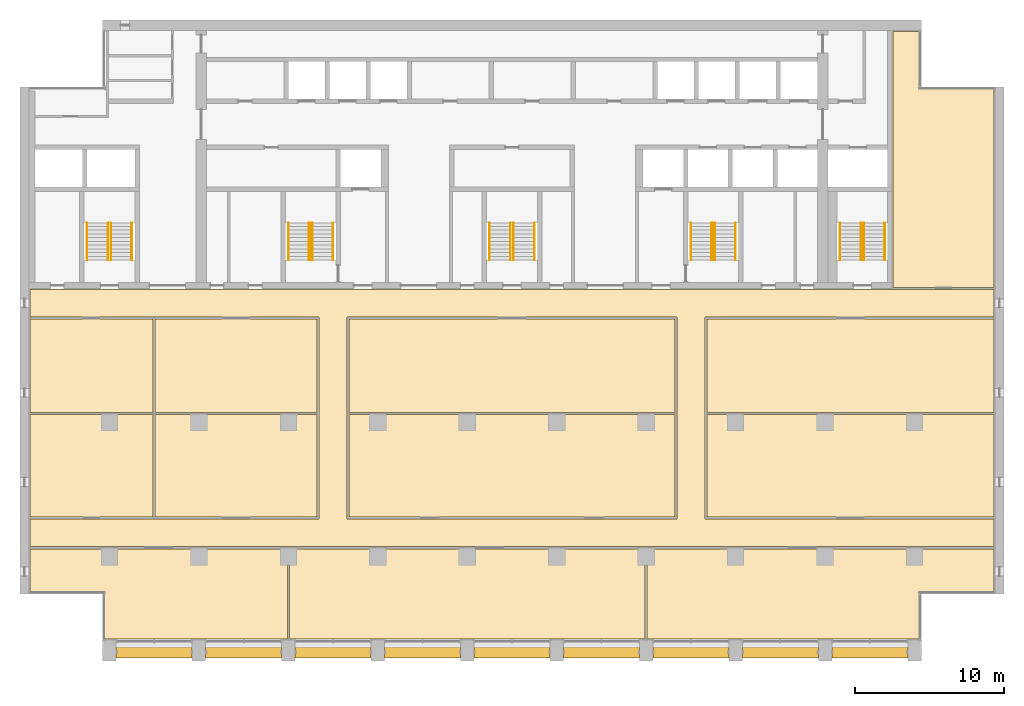
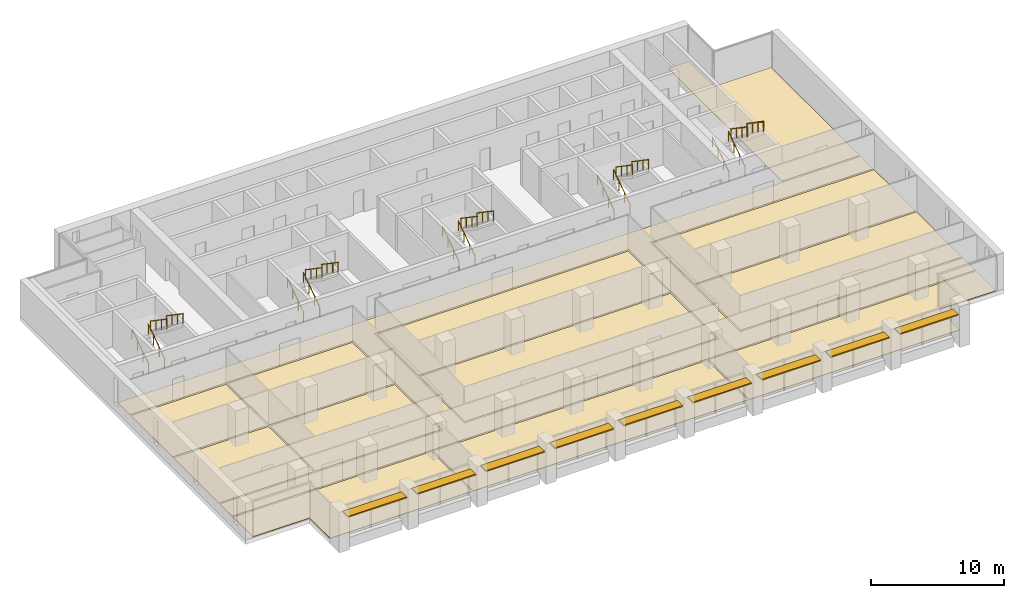
# One storey, part 16 of 16: 20 railings, 13 coverings, 9 shading devices, 5 elements without a shape of their own.
"""IFC4 building model written with IfcOpenShell, lengths in metres."""

from ifc_helpers import new_model, si_unit, direction, frame, origin, origin_2d, place, context, subcontext, project, spatial, polyline, rectangle, circle, outline, extrude, material, layer, layer_set, material_profile, profile_set, type_object, element, aggregate, save


model = new_model("IFC4")

# Units and contexts
model_context = context("Model", 3, precision=1e-05, world=origin(), true_north=direction((0.0, 1.0)))
body_context = subcontext(model_context, "Body", "Model", "MODEL_VIEW")
ifc_project = project(units=[si_unit("LENGTHUNIT", "METRE"), si_unit("AREAUNIT", "SQUARE_METRE"), si_unit("VOLUMEUNIT", "CUBIC_METRE"), si_unit("PLANEANGLEUNIT", "RADIAN"), si_unit("MASSUNIT", "GRAM", prefix="KILO")], contexts=[model_context])

# Site, building, storey
site_placement = place(None, origin())
site = spatial("IfcSite", under=ifc_project, at=site_placement, CompositionType="ELEMENT")
building_placement = place(site_placement, origin())
building = spatial("IfcBuilding", under=site, at=building_placement, Name="Calvaro Tower", CompositionType="ELEMENT")
storey_placement = place(building_placement, frame((0.0, 0.0, 178.0)))
storey = spatial("IfcBuildingStorey", under=building, at=storey_placement, Name="L44", CompositionType="ELEMENT", Elevation=178.0)

# Shading devices
ifc_material_1 = material(Name="Anodised aluminium", Category="aluminium")
ifc_material_profile = material_profile(ifc_material_1, rectangle(XDim=0.800048828125, YDim=0.10009765625, at=origin_2d()), Name="Brise-soleil blade 800 x 100")
ifc_profile_set = profile_set([ifc_material_profile], Name="Anodised aluminium")
shading_device_type = type_object("IfcShadingDeviceType", Name="Brise-soleil blade 800 x 100", PredefinedType="JALOUSIE", material=ifc_profile_set)
for number, where, z_axis, x_axis, name in (
    (1, (12.449951171875, 3.60009765625, 2.5), (1.0, 0.0, 0.0), (0.0, 1.0, 0.0), "Brise-soleil blade 1"),
    (2, (18.449951171875, 3.60009765625, 2.5), (1.0, 0.0, 0.0), (0.0, 1.0, 0.0), "Brise-soleil blade 2"),
    (3, (24.449951171875, 3.60009765625, 2.5), (1.0, 0.0, 0.0), (0.0, 1.0, 0.0), "Brise-soleil blade 3"),
    (4, (30.449951171875, 3.60009765625, 2.5), (1.0, 0.0, 0.0), (0.0, 1.0, 0.0), "Brise-soleil blade 4"),
    (5, (36.449951171875, 3.60009765625, 2.5), (1.0, 0.0, 0.0), (0.0, 1.0, 0.0), "Brise-soleil blade 5"),
    (6, (42.449951171875, 3.60009765625, 2.5), (1.0, 0.0, 0.0), (0.0, 1.0, 0.0), "Brise-soleil blade 6"),
    (7, (48.449951171875, 3.60009765625, 2.5), (1.0, 0.0, 0.0), (0.0, 1.0, 0.0), "Brise-soleil blade 7"),
    (8, (54.449951171875, 3.60009765625, 2.5), (1.0, 0.0, 0.0), (0.0, 1.0, 0.0), "Brise-soleil blade 8"),
    (9, (60.449951171875, 3.60009765625, 2.5), (1.0, 0.0, 0.0), (0.0, 1.0, 0.0), "Brise-soleil blade 9"),
):
    element("IfcShadingDevice", number, at=place(storey_placement, frame(where, z_axis=z_axis, x_axis=x_axis)), inside=storey, type_object=shading_device_type, Name=name, PredefinedType="JALOUSIE", context=body_context, shape_type="SweptSolid", body=[
        extrude(rectangle(XDim=0.800048828125, YDim=0.10009765625, at=origin_2d()), origin(), (0.0, 0.0, 1.0), 5.10009765625),
    ])

# Coverings
ifc_material_2 = material(Name="Cement screed with carpet tile finish")
ifc_layer = layer(ifc_material_2, 0.050048828125)
ifc_layer_set = layer_set([ifc_layer], Name="Cement screed with carpet tile finish")
covering_type = type_object("IfcCoveringType", Name="Floor finish 50", PredefinedType="FLOORING", material=ifc_layer_set)
covering_1_placement = place(storey_placement, origin())
element("IfcCovering", 10, at=covering_1_placement, inside=storey, type_object=covering_type, Name="Floor finish 26.01", PredefinedType="FLOORING", context=body_context, shape_type="SweptSolid", body=[
    extrude(outline(polyline([(6.669921875, 10.669921875), (6.669921875, 12.530029296875), (26.070068359375, 12.530029296875), (26.070068359375, 26.070068359375), (6.669921875, 26.070068359375), (6.669921875, 27.929931640625), (71.330078125, 27.929931640625), (71.330078125, 26.070068359375), (51.929931640625, 26.070068359375), (51.929931640625, 12.530029296875), (71.330078125, 12.530029296875), (71.330078125, 10.669921875), (6.669921875, 10.669921875)]), holes=[polyline([(50.070068359375, 12.530029296875), (50.070068359375, 26.070068359375), (27.929931640625, 26.070068359375), (27.929931640625, 12.530029296875), (50.070068359375, 12.530029296875)])]), origin(), (0.0, 0.0, 1.0), 0.050048828125),
])
covering_2_placement = place(storey_placement, origin())
element("IfcCovering", 11, at=covering_2_placement, inside=storey, type_object=covering_type, Name="Floor finish 26.04", PredefinedType="FLOORING", context=body_context, shape_type="SweptSolid", body=[
    extrude(outline(polyline([(23.929931640625, 10.530029296875), (23.929931640625, 4.469970703125), (11.6201171875, 4.469970703125), (11.6201171875, 7.570068359375), (6.669921875, 7.570068359375), (6.669921875, 10.530029296875), (23.929931640625, 10.530029296875)])), origin(), (0.0, 0.0, 1.0), 0.050048828125),
])
covering_3_placement = place(storey_placement, origin())
element("IfcCovering", 12, at=covering_3_placement, inside=storey, type_object=covering_type, Name="Floor finish 26.02", PredefinedType="FLOORING", context=body_context, shape_type="SweptSolid", body=[
    extrude(outline(polyline([(24.070068359375, 10.530029296875), (47.929931640625, 10.530029296875), (47.929931640625, 4.469970703125), (24.070068359375, 4.469970703125), (24.070068359375, 10.530029296875)])), origin(), (0.0, 0.0, 1.0), 0.050048828125),
])
covering_4_placement = place(storey_placement, origin())
element("IfcCovering", 13, at=covering_4_placement, inside=storey, type_object=covering_type, Name="Floor finish 26.03", PredefinedType="FLOORING", context=body_context, shape_type="SweptSolid", body=[
    extrude(outline(polyline([(71.330078125, 7.570068359375), (66.3798828125, 7.570068359375), (66.3798828125, 4.469970703125), (48.070068359375, 4.469970703125), (48.070068359375, 10.530029296875), (71.330078125, 10.530029296875), (71.330078125, 7.570068359375)])), origin(), (0.0, 0.0, 1.0), 0.050048828125),
])
covering_5_placement = place(storey_placement, origin())
element("IfcCovering", 14, at=covering_5_placement, inside=storey, type_object=covering_type, Name="Floor finish 26.05", PredefinedType="FLOORING", context=body_context, shape_type="SweptSolid", body=[
    extrude(outline(polyline([(14.929931640625, 19.530029296875), (14.929931640625, 12.669921875), (6.669921875, 12.669921875), (6.669921875, 19.530029296875), (14.929931640625, 19.530029296875)])), origin(), (0.0, 0.0, 1.0), 0.050048828125),
])
covering_6_placement = place(storey_placement, origin())
element("IfcCovering", 15, at=covering_6_placement, inside=storey, type_object=covering_type, Name="Floor finish 26.06", PredefinedType="FLOORING", context=body_context, shape_type="SweptSolid", body=[
    extrude(outline(polyline([(15.070068359375, 12.669921875), (15.070068359375, 19.530029296875), (25.929931640625, 19.530029296875), (25.929931640625, 12.669921875), (15.070068359375, 12.669921875)])), origin(), (0.0, 0.0, 1.0), 0.050048828125),
])
covering_7_placement = place(storey_placement, origin())
element("IfcCovering", 16, at=covering_7_placement, inside=storey, type_object=covering_type, Name="Floor finish 26.09", PredefinedType="FLOORING", context=body_context, shape_type="SweptSolid", body=[
    extrude(outline(polyline([(14.929931640625, 25.929931640625), (14.929931640625, 19.669921875), (6.669921875, 19.669921875), (6.669921875, 25.929931640625), (14.929931640625, 25.929931640625)])), origin(), (0.0, 0.0, 1.0), 0.050048828125),
])
covering_8_placement = place(storey_placement, origin())
element("IfcCovering", 17, at=covering_8_placement, inside=storey, type_object=covering_type, Name="Floor finish 26.10", PredefinedType="FLOORING", context=body_context, shape_type="SweptSolid", body=[
    extrude(outline(polyline([(15.070068359375, 19.669921875), (15.070068359375, 25.929931640625), (25.929931640625, 25.929931640625), (25.929931640625, 19.669921875), (15.070068359375, 19.669921875)])), origin(), (0.0, 0.0, 1.0), 0.050048828125),
])
covering_9_placement = place(storey_placement, origin())
element("IfcCovering", 18, at=covering_9_placement, inside=storey, type_object=covering_type, Name="Floor finish 26.07", PredefinedType="FLOORING", context=body_context, shape_type="SweptSolid", body=[
    extrude(outline(polyline([(28.070068359375, 12.669921875), (28.070068359375, 19.530029296875), (49.929931640625, 19.530029296875), (49.929931640625, 12.669921875), (28.070068359375, 12.669921875)])), origin(), (0.0, 0.0, 1.0), 0.050048828125),
])
covering_10_placement = place(storey_placement, origin())
element("IfcCovering", 19, at=covering_10_placement, inside=storey, type_object=covering_type, Name="Floor finish 26.11", PredefinedType="FLOORING", context=body_context, shape_type="SweptSolid", body=[
    extrude(outline(polyline([(28.070068359375, 19.669921875), (28.070068359375, 25.929931640625), (49.929931640625, 25.929931640625), (49.929931640625, 19.669921875), (28.070068359375, 19.669921875)])), origin(), (0.0, 0.0, 1.0), 0.050048828125),
])
covering_11_placement = place(storey_placement, origin())
element("IfcCovering", 20, at=covering_11_placement, inside=storey, type_object=covering_type, Name="Floor finish 26.08", PredefinedType="FLOORING", context=body_context, shape_type="SweptSolid", body=[
    extrude(outline(polyline([(71.330078125, 12.669921875), (52.070068359375, 12.669921875), (52.070068359375, 19.530029296875), (71.330078125, 19.530029296875), (71.330078125, 12.669921875)])), origin(), (0.0, 0.0, 1.0), 0.050048828125),
])
covering_12_placement = place(storey_placement, origin())
element("IfcCovering", 21, at=covering_12_placement, inside=storey, type_object=covering_type, Name="Floor finish 26.12", PredefinedType="FLOORING", context=body_context, shape_type="SweptSolid", body=[
    extrude(outline(polyline([(71.330078125, 19.669921875), (52.070068359375, 19.669921875), (52.070068359375, 25.929931640625), (71.330078125, 25.929931640625), (71.330078125, 19.669921875)])), origin(), (0.0, 0.0, 1.0), 0.050048828125),
])
covering_13_placement = place(storey_placement, origin())
element("IfcCovering", 22, at=covering_13_placement, inside=storey, type_object=covering_type, Name="Floor finish 26.13", PredefinedType="FLOORING", context=body_context, shape_type="SweptSolid", body=[
    extrude(outline(polyline([(71.330078125, 28.070068359375), (64.570068359375, 28.070068359375), (64.570068359375, 45.22998046875), (66.3798828125, 45.22998046875), (66.3798828125, 41.429931640625), (71.330078125, 41.429931640625), (71.330078125, 28.070068359375)])), origin(), (0.0, 0.0, 1.0), 0.050048828125),
])

# Stair, railings
ifc_material_3 = material(Name="Concrete C40/50", Category="concrete")
stair_type = type_object("IfcStairType", Name="Exit stair 1400 2 flights", PredefinedType="HALF_TURN_STAIR", material=ifc_material_3)
stair_1_placement = place(storey_placement, origin())
stair_1 = element("IfcStair", 23, at=stair_1_placement, inside=storey, type_object=stair_type, Name="Exit stair S1", PredefinedType="HALF_TURN_STAIR")
ifc_material_4 = material(Name="Stainless steel", Category="steel")
railing_type = type_object("IfcRailingType", Name="Stair handrail", PredefinedType="HANDRAIL", material=ifc_material_4)
railing_1_placement = place(storey_placement, frame((11.89990234375, 29.89990234375, 0.17041015625)))
railing_1 = element("IfcRailing", 24, at=railing_1_placement, type_object=railing_type, Name="Exit stair 1 handrail", PredefinedType="HANDRAIL", context=body_context, shape_type="SweptSolid", body=[
    extrude(circle(Radius=0.02392578125, at=origin_2d()), frame((0.0, 0.0, 0.8759765625), z_axis=(0.0, 0.826220514629, 0.563346839174), x_axis=(-1.0, 0.0, 0.0)), (0.0, 0.0, 1.0), 3.02587890625),
    extrude(circle(Radius=0.02099609375, at=origin_2d()), frame((0.0, 0.017333984375, 0.01171875)), (0.0, 0.0, 1.0), 0.851806640625),
    extrude(circle(Radius=0.02099609375, at=origin_2d()), frame((0.0, 0.833251953125, 0.568115234375)), (0.0, 0.0, 1.0), 0.851806640625),
    extrude(circle(Radius=0.02099609375, at=origin_2d()), frame((0.0, 1.666748046875, 1.136474609375)), (0.0, 0.0, 1.0), 0.851806640625),
    extrude(circle(Radius=0.02099609375, at=origin_2d()), frame((0.0, 2.482666015625, 1.69287109375)), (0.0, 0.0, 1.0), 0.851806640625),
])
railing_2_placement = place(storey_placement, frame((10.5, 29.89990234375, 0.17041015625)))
railing_2 = element("IfcRailing", 25, at=railing_2_placement, type_object=railing_type, Name="Exit stair 1 handrail", PredefinedType="HANDRAIL", context=body_context, shape_type="SweptSolid", body=[
    extrude(circle(Radius=0.02392578125, at=origin_2d()), frame((0.0, 0.0, 0.8759765625), z_axis=(0.0, 0.826220514629, 0.563346839174), x_axis=(-1.0, 0.0, 0.0)), (0.0, 0.0, 1.0), 3.02587890625),
    extrude(circle(Radius=0.02099609375, at=origin_2d()), frame((0.0, 0.017333984375, 0.01171875)), (0.0, 0.0, 1.0), 0.851806640625),
    extrude(circle(Radius=0.02099609375, at=origin_2d()), frame((0.0, 0.833251953125, 0.568115234375)), (0.0, 0.0, 1.0), 0.851806640625),
    extrude(circle(Radius=0.02099609375, at=origin_2d()), frame((0.0, 1.666748046875, 1.136474609375)), (0.0, 0.0, 1.0), 0.851806640625),
    extrude(circle(Radius=0.02099609375, at=origin_2d()), frame((0.0, 2.482666015625, 1.69287109375)), (0.0, 0.0, 1.0), 0.851806640625),
])
railing_3_placement = place(storey_placement, frame((12.10009765625, 32.39990234375, 2.04541015625)))
railing_3 = element("IfcRailing", 26, at=railing_3_placement, type_object=railing_type, Name="Exit stair 1 handrail", PredefinedType="HANDRAIL", context=body_context, shape_type="SweptSolid", body=[
    extrude(circle(Radius=0.02392578125, at=origin_2d()), frame((0.0, 0.0, 0.8759765625), z_axis=(0.0, -0.826220514629, 0.563346839174), x_axis=(1.0, 0.0, 0.0)), (0.0, 0.0, 1.0), 3.02587890625),
    extrude(circle(Radius=0.02099609375, at=origin_2d()), frame((0.0, -0.017333984375, 0.01171875)), (0.0, 0.0, 1.0), 0.851806640625),
    extrude(circle(Radius=0.02099609375, at=origin_2d()), frame((0.0, -0.833251953125, 0.568115234375)), (0.0, 0.0, 1.0), 0.851806640625),
    extrude(circle(Radius=0.02099609375, at=origin_2d()), frame((0.0, -1.666748046875, 1.136474609375)), (0.0, 0.0, 1.0), 0.851806640625),
    extrude(circle(Radius=0.02099609375, at=origin_2d()), frame((0.0, -2.482666015625, 1.69287109375)), (0.0, 0.0, 1.0), 0.851806640625),
])
railing_4_placement = place(storey_placement, frame((13.5, 32.39990234375, 2.04541015625)))
railing_4 = element("IfcRailing", 27, at=railing_4_placement, type_object=railing_type, Name="Exit stair 1 handrail", PredefinedType="HANDRAIL", context=body_context, shape_type="SweptSolid", body=[
    extrude(circle(Radius=0.02392578125, at=origin_2d()), frame((0.0, 0.0, 0.8759765625), z_axis=(0.0, -0.826220514629, 0.563346839174), x_axis=(1.0, 0.0, 0.0)), (0.0, 0.0, 1.0), 3.02587890625),
    extrude(circle(Radius=0.02099609375, at=origin_2d()), frame((0.0, -0.017333984375, 0.01171875)), (0.0, 0.0, 1.0), 0.851806640625),
    extrude(circle(Radius=0.02099609375, at=origin_2d()), frame((0.0, -0.833251953125, 0.568115234375)), (0.0, 0.0, 1.0), 0.851806640625),
    extrude(circle(Radius=0.02099609375, at=origin_2d()), frame((0.0, -1.666748046875, 1.136474609375)), (0.0, 0.0, 1.0), 0.851806640625),
    extrude(circle(Radius=0.02099609375, at=origin_2d()), frame((0.0, -2.482666015625, 1.69287109375)), (0.0, 0.0, 1.0), 0.851806640625),
])
aggregate(stair_1, [railing_1, railing_2, railing_3, railing_4])

stair_2_placement = place(storey_placement, origin())
stair_2 = element("IfcStair", 28, at=stair_2_placement, inside=storey, type_object=stair_type, Name="Exit stair S2", PredefinedType="HALF_TURN_STAIR")
railing_5_placement = place(storey_placement, frame((25.39990234375, 29.89990234375, 0.17041015625)))
railing_5 = element("IfcRailing", 29, at=railing_5_placement, type_object=railing_type, Name="Exit stair 2 handrail", PredefinedType="HANDRAIL", context=body_context, shape_type="SweptSolid", body=[
    extrude(circle(Radius=0.02392578125, at=origin_2d()), frame((0.0, 0.0, 0.8759765625), z_axis=(0.0, 0.826220514629, 0.563346839174), x_axis=(-1.0, 0.0, 0.0)), (0.0, 0.0, 1.0), 3.02587890625),
    extrude(circle(Radius=0.02099609375, at=origin_2d()), frame((0.0, 0.017333984375, 0.01171875)), (0.0, 0.0, 1.0), 0.851806640625),
    extrude(circle(Radius=0.02099609375, at=origin_2d()), frame((0.0, 0.833251953125, 0.568115234375)), (0.0, 0.0, 1.0), 0.851806640625),
    extrude(circle(Radius=0.02099609375, at=origin_2d()), frame((0.0, 1.666748046875, 1.136474609375)), (0.0, 0.0, 1.0), 0.851806640625),
    extrude(circle(Radius=0.02099609375, at=origin_2d()), frame((0.0, 2.482666015625, 1.69287109375)), (0.0, 0.0, 1.0), 0.851806640625),
])
railing_6_placement = place(storey_placement, frame((24.0, 29.89990234375, 0.17041015625)))
railing_6 = element("IfcRailing", 30, at=railing_6_placement, type_object=railing_type, Name="Exit stair 2 handrail", PredefinedType="HANDRAIL", context=body_context, shape_type="SweptSolid", body=[
    extrude(circle(Radius=0.02392578125, at=origin_2d()), frame((0.0, 0.0, 0.8759765625), z_axis=(0.0, 0.826220514629, 0.563346839174), x_axis=(-1.0, 0.0, 0.0)), (0.0, 0.0, 1.0), 3.02587890625),
    extrude(circle(Radius=0.02099609375, at=origin_2d()), frame((0.0, 0.017333984375, 0.01171875)), (0.0, 0.0, 1.0), 0.851806640625),
    extrude(circle(Radius=0.02099609375, at=origin_2d()), frame((0.0, 0.833251953125, 0.568115234375)), (0.0, 0.0, 1.0), 0.851806640625),
    extrude(circle(Radius=0.02099609375, at=origin_2d()), frame((0.0, 1.666748046875, 1.136474609375)), (0.0, 0.0, 1.0), 0.851806640625),
    extrude(circle(Radius=0.02099609375, at=origin_2d()), frame((0.0, 2.482666015625, 1.69287109375)), (0.0, 0.0, 1.0), 0.851806640625),
])
railing_7_placement = place(storey_placement, frame((25.60009765625, 32.39990234375, 2.04541015625)))
railing_7 = element("IfcRailing", 31, at=railing_7_placement, type_object=railing_type, Name="Exit stair 2 handrail", PredefinedType="HANDRAIL", context=body_context, shape_type="SweptSolid", body=[
    extrude(circle(Radius=0.02392578125, at=origin_2d()), frame((0.0, 0.0, 0.8759765625), z_axis=(0.0, -0.826220514629, 0.563346839174), x_axis=(1.0, 0.0, 0.0)), (0.0, 0.0, 1.0), 3.02587890625),
    extrude(circle(Radius=0.02099609375, at=origin_2d()), frame((0.0, -0.017333984375, 0.01171875)), (0.0, 0.0, 1.0), 0.851806640625),
    extrude(circle(Radius=0.02099609375, at=origin_2d()), frame((0.0, -0.833251953125, 0.568115234375)), (0.0, 0.0, 1.0), 0.851806640625),
    extrude(circle(Radius=0.02099609375, at=origin_2d()), frame((0.0, -1.666748046875, 1.136474609375)), (0.0, 0.0, 1.0), 0.851806640625),
    extrude(circle(Radius=0.02099609375, at=origin_2d()), frame((0.0, -2.482666015625, 1.69287109375)), (0.0, 0.0, 1.0), 0.851806640625),
])
railing_8_placement = place(storey_placement, frame((27.0, 32.39990234375, 2.04541015625)))
railing_8 = element("IfcRailing", 32, at=railing_8_placement, type_object=railing_type, Name="Exit stair 2 handrail", PredefinedType="HANDRAIL", context=body_context, shape_type="SweptSolid", body=[
    extrude(circle(Radius=0.02392578125, at=origin_2d()), frame((0.0, 0.0, 0.8759765625), z_axis=(0.0, -0.826220514629, 0.563346839174), x_axis=(1.0, 0.0, 0.0)), (0.0, 0.0, 1.0), 3.02587890625),
    extrude(circle(Radius=0.02099609375, at=origin_2d()), frame((0.0, -0.017333984375, 0.01171875)), (0.0, 0.0, 1.0), 0.851806640625),
    extrude(circle(Radius=0.02099609375, at=origin_2d()), frame((0.0, -0.833251953125, 0.568115234375)), (0.0, 0.0, 1.0), 0.851806640625),
    extrude(circle(Radius=0.02099609375, at=origin_2d()), frame((0.0, -1.666748046875, 1.136474609375)), (0.0, 0.0, 1.0), 0.851806640625),
    extrude(circle(Radius=0.02099609375, at=origin_2d()), frame((0.0, -2.482666015625, 1.69287109375)), (0.0, 0.0, 1.0), 0.851806640625),
])
aggregate(stair_2, [railing_5, railing_6, railing_7, railing_8])

stair_3_placement = place(storey_placement, origin())
stair_3 = element("IfcStair", 33, at=stair_3_placement, inside=storey, type_object=stair_type, Name="Exit stair S3", PredefinedType="HALF_TURN_STAIR")
railing_9_placement = place(storey_placement, frame((38.89990234375, 29.89990234375, 0.17041015625)))
railing_9 = element("IfcRailing", 34, at=railing_9_placement, type_object=railing_type, Name="Exit stair 3 handrail", PredefinedType="HANDRAIL", context=body_context, shape_type="SweptSolid", body=[
    extrude(circle(Radius=0.02392578125, at=origin_2d()), frame((0.0, 0.0, 0.8759765625), z_axis=(0.0, 0.826220514629, 0.563346839174), x_axis=(-1.0, 0.0, 0.0)), (0.0, 0.0, 1.0), 3.02587890625),
    extrude(circle(Radius=0.02099609375, at=origin_2d()), frame((0.0, 0.017333984375, 0.01171875)), (0.0, 0.0, 1.0), 0.851806640625),
    extrude(circle(Radius=0.02099609375, at=origin_2d()), frame((0.0, 0.833251953125, 0.568115234375)), (0.0, 0.0, 1.0), 0.851806640625),
    extrude(circle(Radius=0.02099609375, at=origin_2d()), frame((0.0, 1.666748046875, 1.136474609375)), (0.0, 0.0, 1.0), 0.851806640625),
    extrude(circle(Radius=0.02099609375, at=origin_2d()), frame((0.0, 2.482666015625, 1.69287109375)), (0.0, 0.0, 1.0), 0.851806640625),
])
railing_10_placement = place(storey_placement, frame((37.5, 29.89990234375, 0.17041015625)))
railing_10 = element("IfcRailing", 35, at=railing_10_placement, type_object=railing_type, Name="Exit stair 3 handrail", PredefinedType="HANDRAIL", context=body_context, shape_type="SweptSolid", body=[
    extrude(circle(Radius=0.02392578125, at=origin_2d()), frame((0.0, 0.0, 0.8759765625), z_axis=(0.0, 0.826220514629, 0.563346839174), x_axis=(-1.0, 0.0, 0.0)), (0.0, 0.0, 1.0), 3.02587890625),
    extrude(circle(Radius=0.02099609375, at=origin_2d()), frame((0.0, 0.017333984375, 0.01171875)), (0.0, 0.0, 1.0), 0.851806640625),
    extrude(circle(Radius=0.02099609375, at=origin_2d()), frame((0.0, 0.833251953125, 0.568115234375)), (0.0, 0.0, 1.0), 0.851806640625),
    extrude(circle(Radius=0.02099609375, at=origin_2d()), frame((0.0, 1.666748046875, 1.136474609375)), (0.0, 0.0, 1.0), 0.851806640625),
    extrude(circle(Radius=0.02099609375, at=origin_2d()), frame((0.0, 2.482666015625, 1.69287109375)), (0.0, 0.0, 1.0), 0.851806640625),
])
railing_11_placement = place(storey_placement, frame((39.10009765625, 32.39990234375, 2.04541015625)))
railing_11 = element("IfcRailing", 36, at=railing_11_placement, type_object=railing_type, Name="Exit stair 3 handrail", PredefinedType="HANDRAIL", context=body_context, shape_type="SweptSolid", body=[
    extrude(circle(Radius=0.02392578125, at=origin_2d()), frame((0.0, 0.0, 0.8759765625), z_axis=(0.0, -0.826220514629, 0.563346839174), x_axis=(1.0, 0.0, 0.0)), (0.0, 0.0, 1.0), 3.02587890625),
    extrude(circle(Radius=0.02099609375, at=origin_2d()), frame((0.0, -0.017333984375, 0.01171875)), (0.0, 0.0, 1.0), 0.851806640625),
    extrude(circle(Radius=0.02099609375, at=origin_2d()), frame((0.0, -0.833251953125, 0.568115234375)), (0.0, 0.0, 1.0), 0.851806640625),
    extrude(circle(Radius=0.02099609375, at=origin_2d()), frame((0.0, -1.666748046875, 1.136474609375)), (0.0, 0.0, 1.0), 0.851806640625),
    extrude(circle(Radius=0.02099609375, at=origin_2d()), frame((0.0, -2.482666015625, 1.69287109375)), (0.0, 0.0, 1.0), 0.851806640625),
])
railing_12_placement = place(storey_placement, frame((40.5, 32.39990234375, 2.04541015625)))
railing_12 = element("IfcRailing", 37, at=railing_12_placement, type_object=railing_type, Name="Exit stair 3 handrail", PredefinedType="HANDRAIL", context=body_context, shape_type="SweptSolid", body=[
    extrude(circle(Radius=0.02392578125, at=origin_2d()), frame((0.0, 0.0, 0.8759765625), z_axis=(0.0, -0.826220514629, 0.563346839174), x_axis=(1.0, 0.0, 0.0)), (0.0, 0.0, 1.0), 3.02587890625),
    extrude(circle(Radius=0.02099609375, at=origin_2d()), frame((0.0, -0.017333984375, 0.01171875)), (0.0, 0.0, 1.0), 0.851806640625),
    extrude(circle(Radius=0.02099609375, at=origin_2d()), frame((0.0, -0.833251953125, 0.568115234375)), (0.0, 0.0, 1.0), 0.851806640625),
    extrude(circle(Radius=0.02099609375, at=origin_2d()), frame((0.0, -1.666748046875, 1.136474609375)), (0.0, 0.0, 1.0), 0.851806640625),
    extrude(circle(Radius=0.02099609375, at=origin_2d()), frame((0.0, -2.482666015625, 1.69287109375)), (0.0, 0.0, 1.0), 0.851806640625),
])
aggregate(stair_3, [railing_9, railing_10, railing_11, railing_12])

stair_4_placement = place(storey_placement, origin())
stair_4 = element("IfcStair", 38, at=stair_4_placement, inside=storey, type_object=stair_type, Name="Exit stair S4", PredefinedType="HALF_TURN_STAIR")
railing_13_placement = place(storey_placement, frame((52.39990234375, 29.89990234375, 0.17041015625)))
railing_13 = element("IfcRailing", 39, at=railing_13_placement, type_object=railing_type, Name="Exit stair 4 handrail", PredefinedType="HANDRAIL", context=body_context, shape_type="SweptSolid", body=[
    extrude(circle(Radius=0.02392578125, at=origin_2d()), frame((0.0, 0.0, 0.8759765625), z_axis=(0.0, 0.826220514629, 0.563346839174), x_axis=(-1.0, 0.0, 0.0)), (0.0, 0.0, 1.0), 3.02587890625),
    extrude(circle(Radius=0.02099609375, at=origin_2d()), frame((0.0, 0.017333984375, 0.01171875)), (0.0, 0.0, 1.0), 0.851806640625),
    extrude(circle(Radius=0.02099609375, at=origin_2d()), frame((0.0, 0.833251953125, 0.568115234375)), (0.0, 0.0, 1.0), 0.851806640625),
    extrude(circle(Radius=0.02099609375, at=origin_2d()), frame((0.0, 1.666748046875, 1.136474609375)), (0.0, 0.0, 1.0), 0.851806640625),
    extrude(circle(Radius=0.02099609375, at=origin_2d()), frame((0.0, 2.482666015625, 1.69287109375)), (0.0, 0.0, 1.0), 0.851806640625),
])
railing_14_placement = place(storey_placement, frame((51.0, 29.89990234375, 0.17041015625)))
railing_14 = element("IfcRailing", 40, at=railing_14_placement, type_object=railing_type, Name="Exit stair 4 handrail", PredefinedType="HANDRAIL", context=body_context, shape_type="SweptSolid", body=[
    extrude(circle(Radius=0.02392578125, at=origin_2d()), frame((0.0, 0.0, 0.8759765625), z_axis=(0.0, 0.826220514629, 0.563346839174), x_axis=(-1.0, 0.0, 0.0)), (0.0, 0.0, 1.0), 3.02587890625),
    extrude(circle(Radius=0.02099609375, at=origin_2d()), frame((0.0, 0.017333984375, 0.01171875)), (0.0, 0.0, 1.0), 0.851806640625),
    extrude(circle(Radius=0.02099609375, at=origin_2d()), frame((0.0, 0.833251953125, 0.568115234375)), (0.0, 0.0, 1.0), 0.851806640625),
    extrude(circle(Radius=0.02099609375, at=origin_2d()), frame((0.0, 1.666748046875, 1.136474609375)), (0.0, 0.0, 1.0), 0.851806640625),
    extrude(circle(Radius=0.02099609375, at=origin_2d()), frame((0.0, 2.482666015625, 1.69287109375)), (0.0, 0.0, 1.0), 0.851806640625),
])
railing_15_placement = place(storey_placement, frame((52.60009765625, 32.39990234375, 2.04541015625)))
railing_15 = element("IfcRailing", 41, at=railing_15_placement, type_object=railing_type, Name="Exit stair 4 handrail", PredefinedType="HANDRAIL", context=body_context, shape_type="SweptSolid", body=[
    extrude(circle(Radius=0.02392578125, at=origin_2d()), frame((0.0, 0.0, 0.8759765625), z_axis=(0.0, -0.826220514629, 0.563346839174), x_axis=(1.0, 0.0, 0.0)), (0.0, 0.0, 1.0), 3.02587890625),
    extrude(circle(Radius=0.02099609375, at=origin_2d()), frame((0.0, -0.017333984375, 0.01171875)), (0.0, 0.0, 1.0), 0.851806640625),
    extrude(circle(Radius=0.02099609375, at=origin_2d()), frame((0.0, -0.833251953125, 0.568115234375)), (0.0, 0.0, 1.0), 0.851806640625),
    extrude(circle(Radius=0.02099609375, at=origin_2d()), frame((0.0, -1.666748046875, 1.136474609375)), (0.0, 0.0, 1.0), 0.851806640625),
    extrude(circle(Radius=0.02099609375, at=origin_2d()), frame((0.0, -2.482666015625, 1.69287109375)), (0.0, 0.0, 1.0), 0.851806640625),
])
railing_16_placement = place(storey_placement, frame((54.0, 32.39990234375, 2.04541015625)))
railing_16 = element("IfcRailing", 42, at=railing_16_placement, type_object=railing_type, Name="Exit stair 4 handrail", PredefinedType="HANDRAIL", context=body_context, shape_type="SweptSolid", body=[
    extrude(circle(Radius=0.02392578125, at=origin_2d()), frame((0.0, 0.0, 0.8759765625), z_axis=(0.0, -0.826220514629, 0.563346839174), x_axis=(1.0, 0.0, 0.0)), (0.0, 0.0, 1.0), 3.02587890625),
    extrude(circle(Radius=0.02099609375, at=origin_2d()), frame((0.0, -0.017333984375, 0.01171875)), (0.0, 0.0, 1.0), 0.851806640625),
    extrude(circle(Radius=0.02099609375, at=origin_2d()), frame((0.0, -0.833251953125, 0.568115234375)), (0.0, 0.0, 1.0), 0.851806640625),
    extrude(circle(Radius=0.02099609375, at=origin_2d()), frame((0.0, -1.666748046875, 1.136474609375)), (0.0, 0.0, 1.0), 0.851806640625),
    extrude(circle(Radius=0.02099609375, at=origin_2d()), frame((0.0, -2.482666015625, 1.69287109375)), (0.0, 0.0, 1.0), 0.851806640625),
])
aggregate(stair_4, [railing_13, railing_14, railing_15, railing_16])

stair_5_placement = place(storey_placement, origin())
stair_5 = element("IfcStair", 43, at=stair_5_placement, inside=storey, type_object=stair_type, Name="Exit stair S5", PredefinedType="HALF_TURN_STAIR")
railing_17_placement = place(storey_placement, frame((62.39990234375, 29.89990234375, 0.17041015625)))
railing_17 = element("IfcRailing", 44, at=railing_17_placement, type_object=railing_type, Name="Exit stair 5 handrail", PredefinedType="HANDRAIL", context=body_context, shape_type="SweptSolid", body=[
    extrude(circle(Radius=0.02392578125, at=origin_2d()), frame((0.0, 0.0, 0.8759765625), z_axis=(0.0, 0.826220514629, 0.563346839174), x_axis=(-1.0, 0.0, 0.0)), (0.0, 0.0, 1.0), 3.02587890625),
    extrude(circle(Radius=0.02099609375, at=origin_2d()), frame((0.0, 0.017333984375, 0.01171875)), (0.0, 0.0, 1.0), 0.851806640625),
    extrude(circle(Radius=0.02099609375, at=origin_2d()), frame((0.0, 0.833251953125, 0.568115234375)), (0.0, 0.0, 1.0), 0.851806640625),
    extrude(circle(Radius=0.02099609375, at=origin_2d()), frame((0.0, 1.666748046875, 1.136474609375)), (0.0, 0.0, 1.0), 0.851806640625),
    extrude(circle(Radius=0.02099609375, at=origin_2d()), frame((0.0, 2.482666015625, 1.69287109375)), (0.0, 0.0, 1.0), 0.851806640625),
])
railing_18_placement = place(storey_placement, frame((61.0, 29.89990234375, 0.17041015625)))
railing_18 = element("IfcRailing", 45, at=railing_18_placement, type_object=railing_type, Name="Exit stair 5 handrail", PredefinedType="HANDRAIL", context=body_context, shape_type="SweptSolid", body=[
    extrude(circle(Radius=0.02392578125, at=origin_2d()), frame((0.0, 0.0, 0.8759765625), z_axis=(0.0, 0.826220514629, 0.563346839174), x_axis=(-1.0, 0.0, 0.0)), (0.0, 0.0, 1.0), 3.02587890625),
    extrude(circle(Radius=0.02099609375, at=origin_2d()), frame((0.0, 0.017333984375, 0.01171875)), (0.0, 0.0, 1.0), 0.851806640625),
    extrude(circle(Radius=0.02099609375, at=origin_2d()), frame((0.0, 0.833251953125, 0.568115234375)), (0.0, 0.0, 1.0), 0.851806640625),
    extrude(circle(Radius=0.02099609375, at=origin_2d()), frame((0.0, 1.666748046875, 1.136474609375)), (0.0, 0.0, 1.0), 0.851806640625),
    extrude(circle(Radius=0.02099609375, at=origin_2d()), frame((0.0, 2.482666015625, 1.69287109375)), (0.0, 0.0, 1.0), 0.851806640625),
])
railing_19_placement = place(storey_placement, frame((62.60009765625, 32.39990234375, 2.04541015625)))
railing_19 = element("IfcRailing", 46, at=railing_19_placement, type_object=railing_type, Name="Exit stair 5 handrail", PredefinedType="HANDRAIL", context=body_context, shape_type="SweptSolid", body=[
    extrude(circle(Radius=0.02392578125, at=origin_2d()), frame((0.0, 0.0, 0.8759765625), z_axis=(0.0, -0.826220514629, 0.563346839174), x_axis=(1.0, 0.0, 0.0)), (0.0, 0.0, 1.0), 3.02587890625),
    extrude(circle(Radius=0.02099609375, at=origin_2d()), frame((0.0, -0.017333984375, 0.01171875)), (0.0, 0.0, 1.0), 0.851806640625),
    extrude(circle(Radius=0.02099609375, at=origin_2d()), frame((0.0, -0.833251953125, 0.568115234375)), (0.0, 0.0, 1.0), 0.851806640625),
    extrude(circle(Radius=0.02099609375, at=origin_2d()), frame((0.0, -1.666748046875, 1.136474609375)), (0.0, 0.0, 1.0), 0.851806640625),
    extrude(circle(Radius=0.02099609375, at=origin_2d()), frame((0.0, -2.482666015625, 1.69287109375)), (0.0, 0.0, 1.0), 0.851806640625),
])
railing_20_placement = place(storey_placement, frame((64.0, 32.39990234375, 2.04541015625)))
railing_20 = element("IfcRailing", 47, at=railing_20_placement, type_object=railing_type, Name="Exit stair 5 handrail", PredefinedType="HANDRAIL", context=body_context, shape_type="SweptSolid", body=[
    extrude(circle(Radius=0.02392578125, at=origin_2d()), frame((0.0, 0.0, 0.8759765625), z_axis=(0.0, -0.826220514629, 0.563346839174), x_axis=(1.0, 0.0, 0.0)), (0.0, 0.0, 1.0), 3.02587890625),
    extrude(circle(Radius=0.02099609375, at=origin_2d()), frame((0.0, -0.017333984375, 0.01171875)), (0.0, 0.0, 1.0), 0.851806640625),
    extrude(circle(Radius=0.02099609375, at=origin_2d()), frame((0.0, -0.833251953125, 0.568115234375)), (0.0, 0.0, 1.0), 0.851806640625),
    extrude(circle(Radius=0.02099609375, at=origin_2d()), frame((0.0, -1.666748046875, 1.136474609375)), (0.0, 0.0, 1.0), 0.851806640625),
    extrude(circle(Radius=0.02099609375, at=origin_2d()), frame((0.0, -2.482666015625, 1.69287109375)), (0.0, 0.0, 1.0), 0.851806640625),
])
aggregate(stair_5, [railing_17, railing_18, railing_19, railing_20])

save(model, "model.ifc")
